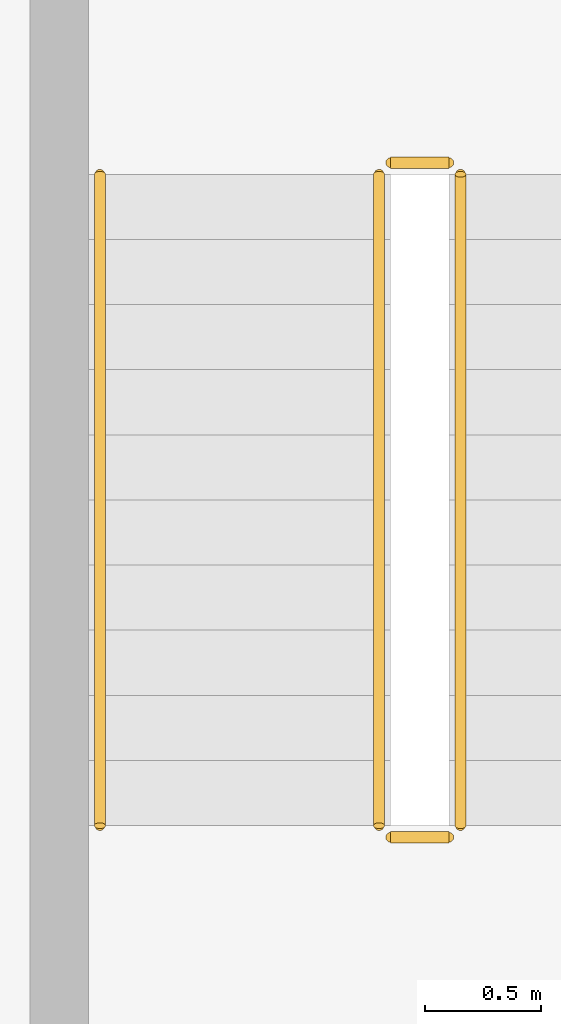
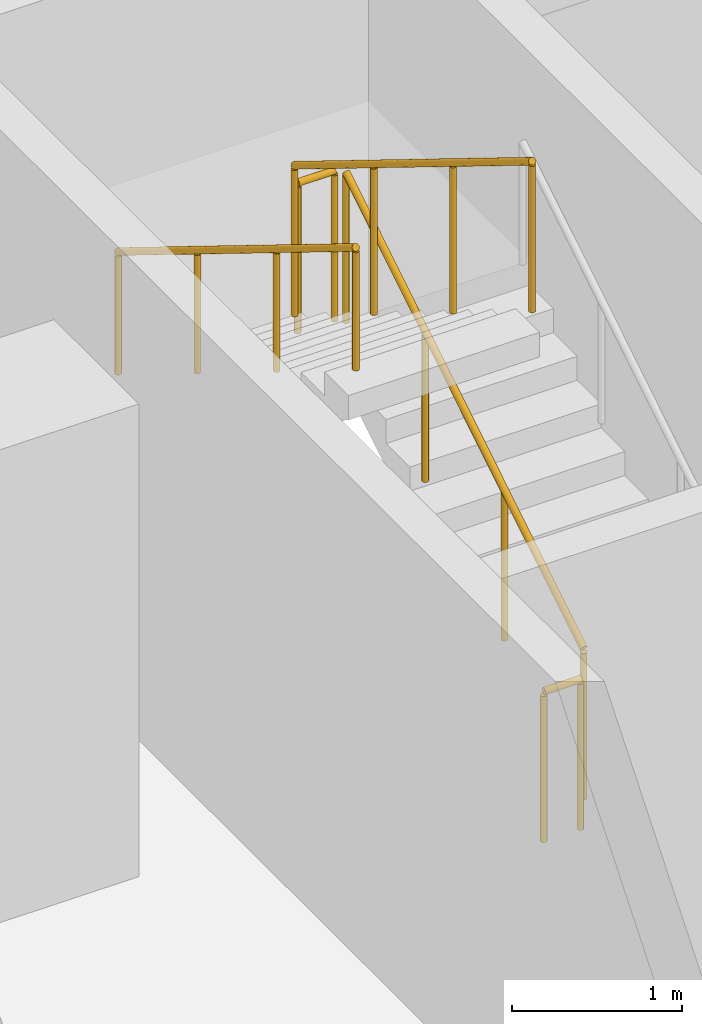
# One storey, part 30 of 33: 5 railings.
"""IFC4 building model written with IfcOpenShell, lengths in metres."""

from ifc_helpers import new_model, si_unit, direction, frame, origin, origin_2d, place, context, subcontext, project, spatial, circle, extrude, material, type_object, element, save


model = new_model("IFC4")

# Units and contexts
model_context = context("Model", 3, precision=1e-05, world=origin(), true_north=direction((0.0, 1.0)))
body_context = subcontext(model_context, "Body", "Model", "MODEL_VIEW")
ifc_project = project(units=[si_unit("LENGTHUNIT", "METRE"), si_unit("AREAUNIT", "SQUARE_METRE"), si_unit("VOLUMEUNIT", "CUBIC_METRE"), si_unit("PLANEANGLEUNIT", "RADIAN"), si_unit("MASSUNIT", "GRAM", prefix="KILO")], contexts=[model_context])

# Site, building, storey
site_placement = place(None, origin())
site = spatial("IfcSite", under=ifc_project, at=site_placement, CompositionType="ELEMENT")
building_placement = place(site_placement, origin())
building = spatial("IfcBuilding", under=site, at=building_placement, Name="Mahtab Terrace Research Tower", CompositionType="ELEMENT")
storey_placement = place(building_placement, frame((0.0, 0.0, 255.199951171875)))
storey = spatial("IfcBuildingStorey", under=building, at=storey_placement, Name="L62", CompositionType="ELEMENT", Elevation=255.199951171875)

# Railings
ifc_material = material(Name="Stainless steel AISI 304", Category="steel")
railing_type_1 = type_object("IfcRailingType", Name="Stair guard 1100", PredefinedType="GUARDRAIL", material=ifc_material)
railing_1_placement = place(storey_placement, frame((21.050048828125, 10.175048828125, 0.1728515625)))
element("IfcRailing", 1, at=railing_1_placement, inside=storey, type_object=railing_type_1, Name="L62 ST3 stair guard 1", PredefinedType="GUARDRAIL", context=body_context, shape_type="SweptSolid", body=[
    extrude(circle(Radius=0.02392578125, at=origin_2d()), frame((0.0, 0.0, 1.076171875), z_axis=(0.0, 0.851089632645, 0.525020415988), x_axis=(-1.0, 0.0, 0.0)), (0.0, 0.0, 1.0), 3.2900390625),
    extrude(circle(Radius=0.02099609375, at=origin_2d()), origin(), (0.0, 0.0, 1.0), 1.052001953125),
    extrude(circle(Radius=0.02099609375, at=origin_2d()), frame((0.0, 0.933349609375, 0.57568359375)), (0.0, 0.0, 1.0), 1.052001953125),
    extrude(circle(Radius=0.02099609375, at=origin_2d()), frame((0.0, 1.86669921875, 1.151611328125)), (0.0, 0.0, 1.0), 1.052001953125),
    extrude(circle(Radius=0.02099609375, at=origin_2d()), frame((0.0, 2.800048828125, 1.727294921875)), (0.0, 0.0, 1.0), 1.052001953125),
])
railing_2_placement = place(storey_placement, frame((21.0, 13.02490234375, 1.900146484375)))
element("IfcRailing", 2, at=railing_2_placement, inside=storey, type_object=railing_type_1, Name="L62 ST3 stair guard 2", PredefinedType="GUARDRAIL", context=body_context, shape_type="SweptSolid", body=[
    extrude(circle(Radius=0.02392578125, at=origin_2d()), frame((0.0, 0.0, 1.076171875), z_axis=(-1.0, 0.0, 0.0), x_axis=(0.0, -1.0, 0.0)), (0.0, 0.0, 1.0), 0.25),
    extrude(circle(Radius=0.02099609375, at=origin_2d()), origin(), (0.0, 0.0, 1.0), 1.052001953125),
    extrude(circle(Radius=0.02099609375, at=origin_2d()), frame((-0.25, 0.0, 0.0)), (0.0, 0.0, 1.0), 1.052001953125),
])
railing_3_placement = place(storey_placement, frame((20.699951171875, 12.97509765625, 2.07275390625)))
element("IfcRailing", 3, at=railing_3_placement, inside=storey, type_object=railing_type_1, Name="L62 ST3 stair guard 3", PredefinedType="GUARDRAIL", context=body_context, shape_type="SweptSolid", body=[
    extrude(circle(Radius=0.02392578125, at=origin_2d()), frame((0.0, 0.0, 1.076171875), z_axis=(0.0, -0.851089632645, 0.525020415988), x_axis=(1.0, 0.0, 0.0)), (0.0, 0.0, 1.0), 3.2900390625),
    extrude(circle(Radius=0.02099609375, at=origin_2d()), origin(), (0.0, 0.0, 1.0), 1.052001953125),
    extrude(circle(Radius=0.02099609375, at=origin_2d()), frame((0.0, -0.933349609375, 0.57568359375)), (0.0, 0.0, 1.0), 1.052001953125),
    extrude(circle(Radius=0.02099609375, at=origin_2d()), frame((0.0, -1.86669921875, 1.151611328125)), (0.0, 0.0, 1.0), 1.052001953125),
    extrude(circle(Radius=0.02099609375, at=origin_2d()), frame((0.0, -2.800048828125, 1.727294921875)), (0.0, 0.0, 1.0), 1.052001953125),
])
railing_4_placement = place(storey_placement, frame((21.0, 10.125, 0.0)))
element("IfcRailing", 4, at=railing_4_placement, inside=storey, type_object=railing_type_1, Name="L62 ST3 stair guard 4", PredefinedType="GUARDRAIL", context=body_context, shape_type="SweptSolid", body=[
    extrude(circle(Radius=0.02392578125, at=origin_2d()), frame((0.0, 0.0, 1.076171875), z_axis=(-1.0, 0.0, 0.0), x_axis=(0.0, -1.0, 0.0)), (0.0, 0.0, 1.0), 0.25),
    extrude(circle(Radius=0.02099609375, at=origin_2d()), origin(), (0.0, 0.0, 1.0), 1.052001953125),
    extrude(circle(Radius=0.02099609375, at=origin_2d()), frame((-0.25, 0.0, 0.0)), (0.0, 0.0, 1.0), 1.052001953125),
])
railing_type_2 = type_object("IfcRailingType", Name="Stair handrail 900", PredefinedType="HANDRAIL", material=ifc_material)
railing_5_placement = place(storey_placement, frame((19.5, 12.97509765625, 2.07275390625)))
element("IfcRailing", 5, at=railing_5_placement, inside=storey, type_object=railing_type_2, Name="L62 ST3 stair handrail 2", PredefinedType="HANDRAIL", context=body_context, shape_type="SweptSolid", body=[
    extrude(circle(Radius=0.02392578125, at=origin_2d()), frame((0.0, 0.0, 0.8759765625), z_axis=(0.0, -0.851089632645, 0.525020415988), x_axis=(1.0, 0.0, 0.0)), (0.0, 0.0, 1.0), 3.2900390625),
    extrude(circle(Radius=0.02099609375, at=origin_2d()), origin(), (0.0, 0.0, 1.0), 0.851806640625),
    extrude(circle(Radius=0.02099609375, at=origin_2d()), frame((0.0, -0.933349609375, 0.57568359375)), (0.0, 0.0, 1.0), 0.851806640625),
    extrude(circle(Radius=0.02099609375, at=origin_2d()), frame((0.0, -1.86669921875, 1.151611328125)), (0.0, 0.0, 1.0), 0.851806640625),
    extrude(circle(Radius=0.02099609375, at=origin_2d()), frame((0.0, -2.800048828125, 1.727294921875)), (0.0, 0.0, 1.0), 0.851806640625),
])

save(model, "model.ifc")
